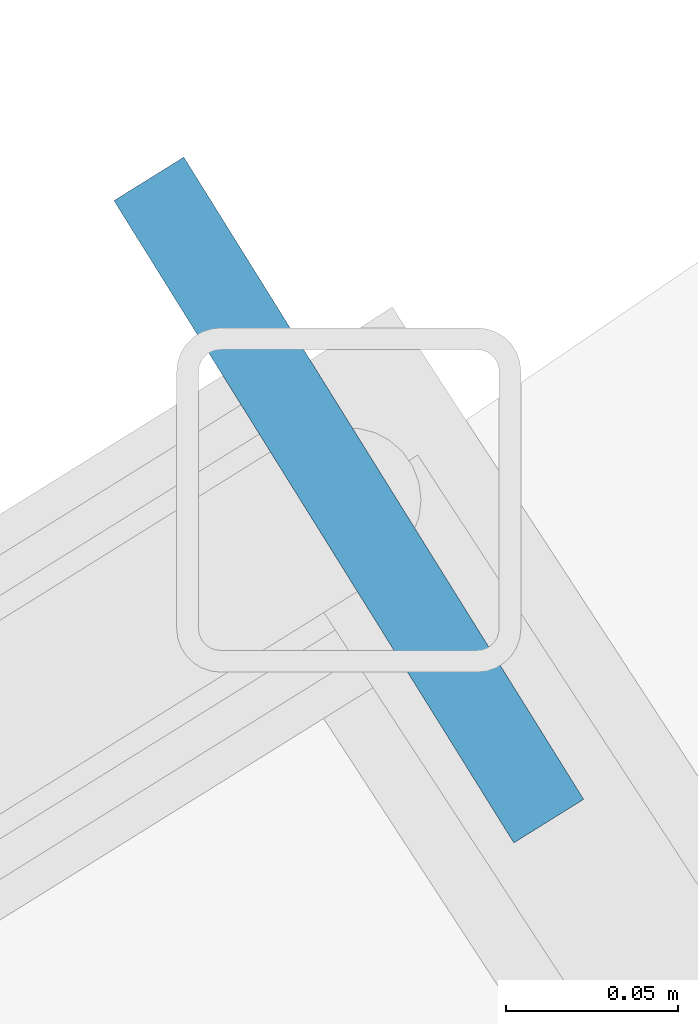
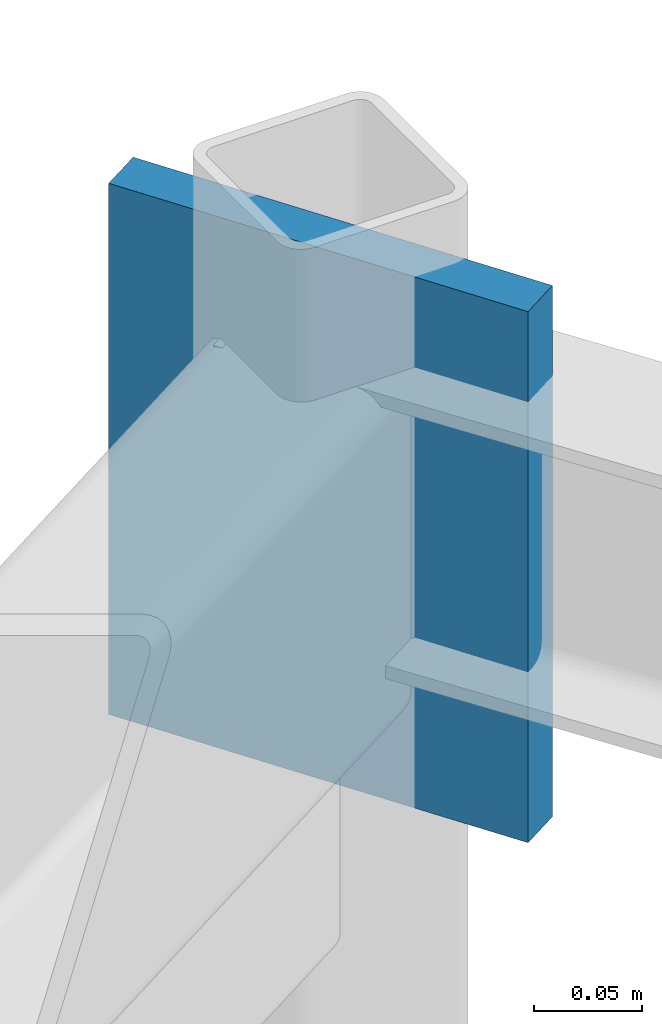
# One storey, part 70 of 123: 1 plate.
"""IFC4 building model written with IfcOpenShell, lengths in metres."""

from ifc_helpers import new_model, si_unit, direction, frame, origin, origin_2d, place, context, subcontext, project, spatial, rectangle, extrude, material, layer, layer_set, type_object, element, save


model = new_model("IFC4")

# Units and contexts
model_context = context("Model", 3, precision=1e-05, world=origin(), true_north=direction((0.0, 1.0)))
body_context = subcontext(model_context, "Body", "Model", "MODEL_VIEW")
ifc_project = project(units=[si_unit("LENGTHUNIT", "METRE"), si_unit("AREAUNIT", "SQUARE_METRE"), si_unit("VOLUMEUNIT", "CUBIC_METRE"), si_unit("PLANEANGLEUNIT", "RADIAN"), si_unit("MASSUNIT", "GRAM", prefix="KILO"), si_unit("POWERUNIT", "WATT"), si_unit("THERMODYNAMICTEMPERATUREUNIT", "KELVIN")], contexts=[model_context])

# Site, building, storey
site_placement = place(None, origin())
site = spatial("IfcSite", under=ifc_project, at=site_placement, CompositionType="ELEMENT")
building_placement = place(site_placement, origin())
building = spatial("IfcBuilding", under=site, at=building_placement, Name="Ruvembo Vaulted Housing Court", CompositionType="ELEMENT")
storey_placement = place(building_placement, frame((0.0, 0.0, 7.699951171875)))
storey = spatial("IfcBuildingStorey", under=building, at=storey_placement, Name="L02", CompositionType="ELEMENT", Elevation=7.699951171875)

# Plate
ifc_material = material(Name="Steel S355J2", Category="steel")
ifc_layer = layer(ifc_material, 0.01611328125, Name="Steel S355J2")
ifc_layer_set = layer_set([ifc_layer], Name="Steel S355J2")
plate_type = type_object("IfcPlateType", Name="PL-NODE-GUSSET-16", PredefinedType="USERDEFINED", material=ifc_layer_set)
plate_placement = place(storey_placement, frame((94.00537109375, 23.62841796875, 2.68994140625), z_axis=(0.0, 0.0, 1.0), x_axis=(0.848897895443, 0.528556868381, 0.0)))
element("IfcPlate", 1, at=plate_placement, inside=storey, type_object=plate_type, Name="Scoop SC2 L02 Hollow Spandrel End Cap Plate 27", ObjectType="GUSSET_PLATE", PredefinedType="USERDEFINED", context=body_context, shape_type="SweptSolid", body=[
    extrude(rectangle(XDim=0.02392578125, YDim=0.219970703125, at=origin_2d()), origin(), (0.0, 0.0, 1.0), 0.300048828125),
])

save(model, "model.ifc")
